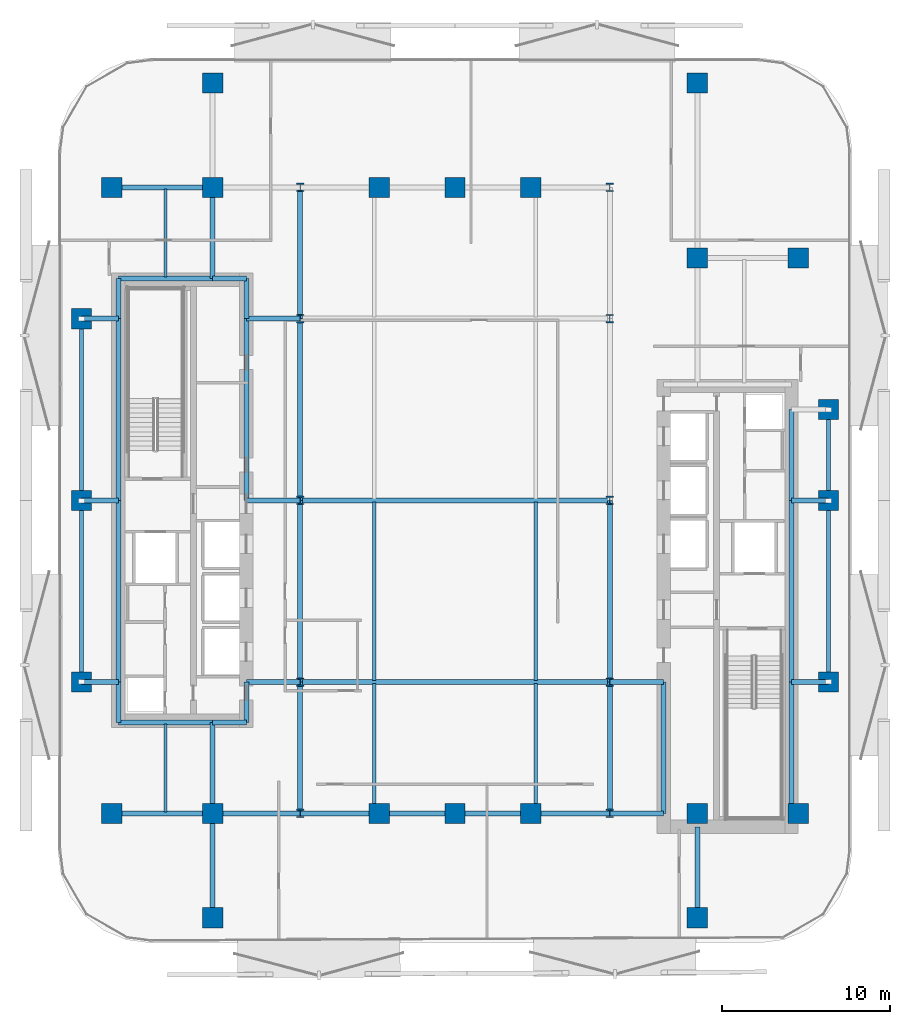
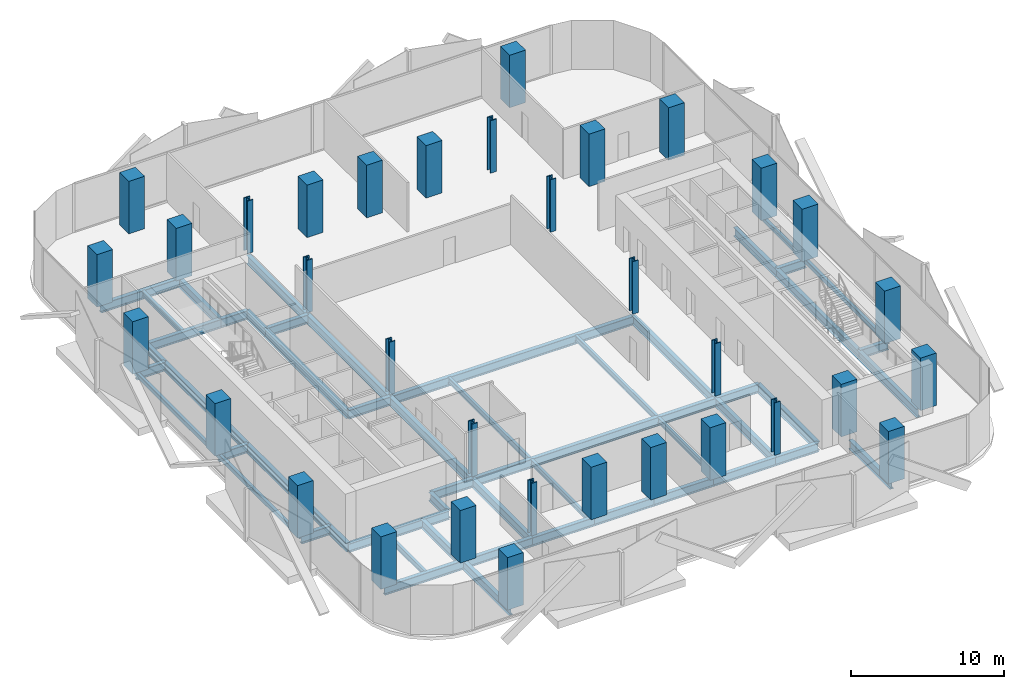
# One storey, part 1 of 15: 54 beams, 34 columns.
"""IFC4 building model written with IfcOpenShell, lengths in metres."""

from ifc_helpers import new_model, si_unit, direction, frame, origin, origin_2d, place, context, subcontext, project, spatial, rectangle, hollow_rectangle, i_section, extrude, material, material_profile, profile_set, type_object, element, save


model = new_model("IFC4")

# Units and contexts
model_context = context("Model", 3, precision=1e-05, world=origin(), true_north=direction((0.0, 1.0)))
body_context = subcontext(model_context, "Body", "Model", "MODEL_VIEW")
ifc_project = project(units=[si_unit("LENGTHUNIT", "METRE"), si_unit("AREAUNIT", "SQUARE_METRE"), si_unit("VOLUMEUNIT", "CUBIC_METRE"), si_unit("PLANEANGLEUNIT", "RADIAN"), si_unit("MASSUNIT", "GRAM", prefix="KILO")], contexts=[model_context])

# Site, building, storey
site_placement = place(None, origin())
site = spatial("IfcSite", under=ifc_project, at=site_placement, CompositionType="ELEMENT")
building_placement = place(site_placement, origin())
building = spatial("IfcBuilding", under=site, at=building_placement, Name="Khairoan Windgate Tower", CompositionType="ELEMENT")
storey_placement = place(building_placement, frame((0.0, 0.0, 143.60009765625)))
storey = spatial("IfcBuildingStorey", under=building, at=storey_placement, Name="L33", CompositionType="ELEMENT", Elevation=143.60009765625)

# Columns
ifc_material_1 = material(Name="Concrete C60/75", Category="concrete")
ifc_material_profile_1 = material_profile(ifc_material_1, rectangle(XDim=1.199951171875, YDim=1.199951171875, at=origin_2d()))
ifc_profile_set_1 = profile_set([ifc_material_profile_1], Name="Concrete C60/75")
column_type_1 = type_object("IfcColumnType", Name="Column C-T3 RC1200x1200", PredefinedType="COLUMN", material=ifc_profile_set_1)
for number, where, z_axis, x_axis, name in (
    (1, (-20.39990234375, -18.60009765625, 0.0), (0.0, 0.0, 1.0), (1.0, 0.0, 0.0), "Column L33-11"),
    (2, (-20.39990234375, 18.60009765625, 0.0), (0.0, 0.0, 1.0), (1.0, 0.0, 0.0), "Column L33-12"),
    (3, (20.39990234375, -18.60009765625, 0.0), (0.0, 0.0, 1.0), (1.0, 0.0, 0.0), "Column L33-13"),
    (4, (20.39990234375, 14.39990234375, 0.0), (0.0, 0.0, 1.0), (1.0, 0.0, 0.0), "Column L33-14"),
    (5, (-14.39990234375, -18.60009765625, 0.0), (0.0, 0.0, 1.0), (1.0, 0.0, 0.0), "Column L33-15"),
    (6, (-14.39990234375, 18.60009765625, 0.0), (0.0, 0.0, 1.0), (1.0, 0.0, 0.0), "Column L33-16"),
    (7, (14.39990234375, -18.60009765625, 0.0), (0.0, 0.0, 1.0), (1.0, 0.0, 0.0), "Column L33-17"),
    (8, (14.39990234375, 14.39990234375, 0.0), (0.0, 0.0, 1.0), (1.0, 0.0, 0.0), "Column L33-18"),
    (9, (-4.5, -18.60009765625, 0.0), (0.0, 0.0, 1.0), (1.0, 0.0, 0.0), "Column L33-19"),
    (10, (0.0, -18.60009765625, 0.0), (0.0, 0.0, 1.0), (1.0, 0.0, 0.0), "Column L33-20"),
    (11, (4.5, -18.60009765625, 0.0), (0.0, 0.0, 1.0), (1.0, 0.0, 0.0), "Column L33-21"),
    (12, (-4.5, 18.60009765625, 0.0), (0.0, 0.0, 1.0), (1.0, 0.0, 0.0), "Column L33-22"),
    (13, (0.0, 18.60009765625, 0.0), (0.0, 0.0, 1.0), (1.0, 0.0, 0.0), "Column L33-23"),
    (14, (4.5, 18.60009765625, 0.0), (0.0, 0.0, 1.0), (1.0, 0.0, 0.0), "Column L33-24"),
    (15, (-22.199951171875, -10.800048828125, 0.0), (0.0, 0.0, 1.0), (1.0, 0.0, 0.0), "Column L33-25"),
    (16, (-22.199951171875, 0.0, 0.0), (0.0, 0.0, 1.0), (1.0, 0.0, 0.0), "Column L33-26"),
    (17, (-22.199951171875, 10.800048828125, 0.0), (0.0, 0.0, 1.0), (1.0, 0.0, 0.0), "Column L33-27"),
    (18, (22.199951171875, -10.800048828125, 0.0), (0.0, 0.0, 1.0), (1.0, 0.0, 0.0), "Column L33-28"),
    (19, (22.199951171875, 0.0, 0.0), (0.0, 0.0, 1.0), (1.0, 0.0, 0.0), "Column L33-29"),
    (20, (22.199951171875, 5.39990234375, 0.0), (0.0, 0.0, 1.0), (1.0, 0.0, 0.0), "Column L33-30"),
    (21, (-14.39990234375, -24.800048828125, 0.0), (0.0, 0.0, 1.0), (1.0, 0.0, 0.0), "Column L33-31"),
    (22, (-14.39990234375, 24.800048828125, 0.0), (0.0, 0.0, 1.0), (1.0, 0.0, 0.0), "Column L33-32"),
    (23, (14.39990234375, -24.800048828125, 0.0), (0.0, 0.0, 1.0), (1.0, 0.0, 0.0), "Column L33-33"),
    (24, (14.39990234375, 24.800048828125, 0.0), (0.0, 0.0, 1.0), (1.0, 0.0, 0.0), "Column L33-34"),
):
    element("IfcColumn", number, at=place(storey_placement, frame(where, z_axis=z_axis, x_axis=x_axis)), inside=storey, type_object=column_type_1, Name=name, PredefinedType="COLUMN", context=body_context, shape_type="SweptSolid", body=[
        extrude(rectangle(XDim=1.199951171875, YDim=1.199951171875, at=origin_2d()), origin(), (0.0, 0.0, 1.0), 4.199951171875),
    ])
ifc_material_2 = material(Name="Steel S355", Category="steel")
ifc_material_profile_2 = material_profile(ifc_material_2, i_section(OverallWidth=0.431884765625, OverallDepth=0.498046875, WebThickness=0.044921875, FlangeThickness=0.070068359375, FilletRadius=0.02197265625, at=origin_2d()))
ifc_profile_set_2 = profile_set([ifc_material_profile_2], Name="Steel S355")
column_type_2 = type_object("IfcColumnType", Name="Steel Column SC1 H498x432x45x70", PredefinedType="COLUMN", material=ifc_profile_set_2)
for number, where, z_axis, x_axis, name in (
    (25, (-9.199951171875, -18.60009765625, 0.0), (0.0, 0.0, 1.0), (1.0, 0.0, 0.0), "Column L33-01"),
    (26, (-9.199951171875, -10.800048828125, 0.0), (0.0, 0.0, 1.0), (1.0, 0.0, 0.0), "Column L33-02"),
    (27, (-9.199951171875, 0.0, 0.0), (0.0, 0.0, 1.0), (1.0, 0.0, 0.0), "Column L33-03"),
    (28, (-9.199951171875, 10.800048828125, 0.0), (0.0, 0.0, 1.0), (1.0, 0.0, 0.0), "Column L33-04"),
    (29, (-9.199951171875, 18.60009765625, 0.0), (0.0, 0.0, 1.0), (1.0, 0.0, 0.0), "Column L33-05"),
    (30, (9.199951171875, -18.60009765625, 0.0), (0.0, 0.0, 1.0), (1.0, 0.0, 0.0), "Column L33-06"),
    (31, (9.199951171875, -10.800048828125, 0.0), (0.0, 0.0, 1.0), (1.0, 0.0, 0.0), "Column L33-07"),
    (32, (9.199951171875, 0.0, 0.0), (0.0, 0.0, 1.0), (1.0, 0.0, 0.0), "Column L33-08"),
    (33, (9.199951171875, 10.800048828125, 0.0), (0.0, 0.0, 1.0), (1.0, 0.0, 0.0), "Column L33-09"),
    (34, (9.199951171875, 18.60009765625, 0.0), (0.0, 0.0, 1.0), (1.0, 0.0, 0.0), "Column L33-10"),
):
    element("IfcColumn", number, at=place(storey_placement, frame(where, z_axis=z_axis, x_axis=x_axis)), inside=storey, type_object=column_type_2, Name=name, PredefinedType="COLUMN", context=body_context, shape_type="SweptSolid", body=[
        extrude(i_section(OverallWidth=0.431884765625, OverallDepth=0.498046875, WebThickness=0.044921875, FlangeThickness=0.070068359375, FilletRadius=0.02197265625, at=origin_2d()), origin(), (0.0, 0.0, 1.0), 4.199951171875),
    ])

# Beams
ifc_material_3 = material(Name="Steel S355", Category="steel")
ifc_material_profile_3 = material_profile(ifc_material_3, i_section(OverallWidth=0.300048828125, OverallDepth=0.699951171875, WebThickness=0.012939453125, FlangeThickness=0.02392578125, FilletRadius=0.02587890625, at=origin_2d()))
ifc_profile_set_3 = profile_set([ifc_material_profile_3], Name="Steel S355")
beam_type_1 = type_object("IfcBeamType", Name="Beam B-G3 H700x300x13x24", PredefinedType="BEAM", material=ifc_profile_set_3)
beam_1_placement = place(storey_placement, frame((-20.39990234375, -18.60009765625, -0.610107421875), z_axis=(1.0, 0.0, 0.0), x_axis=(0.0, 1.0, 0.0)))
element("IfcBeam", 35, at=beam_1_placement, inside=storey, type_object=beam_type_1, Name="L33 E-W Primary Girder 01", PredefinedType="BEAM", context=body_context, shape_type="SweptSolid", body=[
    extrude(i_section(OverallWidth=0.300048828125, OverallDepth=0.699951171875, WebThickness=0.012939453125, FlangeThickness=0.02392578125, FilletRadius=0.02587890625, at=origin_2d()), origin(), (0.0, 0.0, 1.0), 6.0),
])
beam_2_placement = place(storey_placement, frame((-14.39990234375, -18.60009765625, -0.610107421875), z_axis=(1.0, 0.0, 0.0), x_axis=(0.0, 1.0, 0.0)))
element("IfcBeam", 36, at=beam_2_placement, inside=storey, type_object=beam_type_1, Name="L33 E-W Primary Girder 02", PredefinedType="BEAM", context=body_context, shape_type="SweptSolid", body=[
    extrude(i_section(OverallWidth=0.300048828125, OverallDepth=0.699951171875, WebThickness=0.012939453125, FlangeThickness=0.02392578125, FilletRadius=0.02587890625, at=origin_2d()), origin(), (0.0, 0.0, 1.0), 5.199951171875),
])
beam_3_placement = place(storey_placement, frame((-9.199951171875, -18.60009765625, -0.610107421875), z_axis=(1.0, 0.0, 0.0), x_axis=(0.0, 1.0, 0.0)))
element("IfcBeam", 37, at=beam_3_placement, inside=storey, type_object=beam_type_1, Name="L33 E-W Primary Girder 03", PredefinedType="BEAM", context=body_context, shape_type="SweptSolid", body=[
    extrude(i_section(OverallWidth=0.300048828125, OverallDepth=0.699951171875, WebThickness=0.012939453125, FlangeThickness=0.02392578125, FilletRadius=0.02587890625, at=origin_2d()), origin(), (0.0, 0.0, 1.0), 4.699951171875),
])
for number, where, z_axis, x_axis, name in (
    (38, (-4.5, -18.60009765625, -0.610107421875), (1.0, 0.0, 0.0), (0.0, 1.0, 0.0), "L33 E-W Primary Girder 04"),
    (39, (0.0, -18.60009765625, -0.610107421875), (1.0, 0.0, 0.0), (0.0, 1.0, 0.0), "L33 E-W Primary Girder 05"),
):
    element("IfcBeam", number, at=place(storey_placement, frame(where, z_axis=z_axis, x_axis=x_axis)), inside=storey, type_object=beam_type_1, Name=name, PredefinedType="BEAM", context=body_context, shape_type="SweptSolid", body=[
        extrude(i_section(OverallWidth=0.300048828125, OverallDepth=0.699951171875, WebThickness=0.012939453125, FlangeThickness=0.02392578125, FilletRadius=0.02587890625, at=origin_2d()), origin(), (0.0, 0.0, 1.0), 4.5),
    ])
beam_4_placement = place(storey_placement, frame((4.5, -18.60009765625, -0.610107421875), z_axis=(1.0, 0.0, 0.0), x_axis=(0.0, 1.0, 0.0)))
element("IfcBeam", 40, at=beam_4_placement, inside=storey, type_object=beam_type_1, Name="L33 E-W Primary Girder 06", PredefinedType="BEAM", context=body_context, shape_type="SweptSolid", body=[
    extrude(i_section(OverallWidth=0.300048828125, OverallDepth=0.699951171875, WebThickness=0.012939453125, FlangeThickness=0.02392578125, FilletRadius=0.02587890625, at=origin_2d()), origin(), (0.0, 0.0, 1.0), 4.699951171875),
])
beam_5_placement = place(storey_placement, frame((9.199951171875, -18.60009765625, -0.610107421875), z_axis=(1.0, 0.0, 0.0), x_axis=(0.0, 1.0, 0.0)))
element("IfcBeam", 41, at=beam_5_placement, inside=storey, type_object=beam_type_1, Name="L33 E-W Primary Girder 07", PredefinedType="BEAM", context=body_context, shape_type="SweptSolid", body=[
    extrude(i_section(OverallWidth=0.300048828125, OverallDepth=0.699951171875, WebThickness=0.012939453125, FlangeThickness=0.02392578125, FilletRadius=0.02587890625, at=origin_2d()), origin(), (0.0, 0.0, 1.0), 3.199951171875),
])
beam_6_placement = place(storey_placement, frame((-20.0, -13.199951171875, -0.610107421875), z_axis=(1.0, 0.0, 0.0), x_axis=(0.0, 1.0, 0.0)))
element("IfcBeam", 42, at=beam_6_placement, inside=storey, type_object=beam_type_1, Name="L33 E-W Primary Girder 08", PredefinedType="BEAM", context=body_context, shape_type="SweptSolid", body=[
    extrude(i_section(OverallWidth=0.300048828125, OverallDepth=0.699951171875, WebThickness=0.012939453125, FlangeThickness=0.02392578125, FilletRadius=0.02587890625, at=origin_2d()), origin(), (0.0, 0.0, 1.0), 5.60009765625),
])
beam_7_placement = place(storey_placement, frame((-14.39990234375, -13.199951171875, -0.610107421875), z_axis=(1.0, 0.0, 0.0), x_axis=(0.0, 1.0, 0.0)))
element("IfcBeam", 43, at=beam_7_placement, inside=storey, type_object=beam_type_1, Name="L33 E-W Primary Girder 09", PredefinedType="BEAM", context=body_context, shape_type="SweptSolid", body=[
    extrude(i_section(OverallWidth=0.300048828125, OverallDepth=0.699951171875, WebThickness=0.012939453125, FlangeThickness=0.02392578125, FilletRadius=0.02587890625, at=origin_2d()), origin(), (0.0, 0.0, 1.0), 2.0),
])
beam_8_placement = place(storey_placement, frame((-22.199951171875, -10.800048828125, -0.610107421875), z_axis=(1.0, 0.0, 0.0), x_axis=(0.0, 1.0, 0.0)))
element("IfcBeam", 44, at=beam_8_placement, inside=storey, type_object=beam_type_1, Name="L33 E-W Primary Girder 10", PredefinedType="BEAM", context=body_context, shape_type="SweptSolid", body=[
    extrude(i_section(OverallWidth=0.300048828125, OverallDepth=0.699951171875, WebThickness=0.012939453125, FlangeThickness=0.02392578125, FilletRadius=0.02587890625, at=origin_2d()), origin(), (0.0, 0.0, 1.0), 2.199951171875),
])
beam_9_placement = place(storey_placement, frame((-12.39990234375, -10.800048828125, -0.610107421875), z_axis=(1.0, 0.0, 0.0), x_axis=(0.0, 1.0, 0.0)))
element("IfcBeam", 45, at=beam_9_placement, inside=storey, type_object=beam_type_1, Name="L33 E-W Primary Girder 11", PredefinedType="BEAM", context=body_context, shape_type="SweptSolid", body=[
    extrude(i_section(OverallWidth=0.300048828125, OverallDepth=0.699951171875, WebThickness=0.012939453125, FlangeThickness=0.02392578125, FilletRadius=0.02587890625, at=origin_2d()), origin(), (0.0, 0.0, 1.0), 3.199951171875),
])
beam_10_placement = place(storey_placement, frame((-9.199951171875, -10.800048828125, -0.610107421875), z_axis=(1.0, 0.0, 0.0), x_axis=(0.0, 1.0, 0.0)))
element("IfcBeam", 46, at=beam_10_placement, inside=storey, type_object=beam_type_1, Name="L33 E-W Primary Girder 12", PredefinedType="BEAM", context=body_context, shape_type="SweptSolid", body=[
    extrude(i_section(OverallWidth=0.300048828125, OverallDepth=0.699951171875, WebThickness=0.012939453125, FlangeThickness=0.02392578125, FilletRadius=0.02587890625, at=origin_2d()), origin(), (0.0, 0.0, 1.0), 18.39990234375),
])
beam_11_placement = place(storey_placement, frame((9.199951171875, -10.800048828125, -0.610107421875), z_axis=(1.0, 0.0, 0.0), x_axis=(0.0, 1.0, 0.0)))
element("IfcBeam", 47, at=beam_11_placement, inside=storey, type_object=beam_type_1, Name="L33 E-W Primary Girder 13", PredefinedType="BEAM", context=body_context, shape_type="SweptSolid", body=[
    extrude(i_section(OverallWidth=0.300048828125, OverallDepth=0.699951171875, WebThickness=0.012939453125, FlangeThickness=0.02392578125, FilletRadius=0.02587890625, at=origin_2d()), origin(), (0.0, 0.0, 1.0), 3.199951171875),
])
for number, where, z_axis, x_axis, name in (
    (48, (20.0, -10.800048828125, -0.610107421875), (1.0, 0.0, 0.0), (0.0, 1.0, 0.0), "L33 E-W Primary Girder 14"),
    (49, (-22.199951171875, 0.0, -0.610107421875), (1.0, 0.0, 0.0), (0.0, 1.0, 0.0), "L33 E-W Primary Girder 15"),
):
    element("IfcBeam", number, at=place(storey_placement, frame(where, z_axis=z_axis, x_axis=x_axis)), inside=storey, type_object=beam_type_1, Name=name, PredefinedType="BEAM", context=body_context, shape_type="SweptSolid", body=[
        extrude(i_section(OverallWidth=0.300048828125, OverallDepth=0.699951171875, WebThickness=0.012939453125, FlangeThickness=0.02392578125, FilletRadius=0.02587890625, at=origin_2d()), origin(), (0.0, 0.0, 1.0), 2.199951171875),
    ])
beam_12_placement = place(storey_placement, frame((-12.39990234375, 0.0, -0.610107421875), z_axis=(1.0, 0.0, 0.0), x_axis=(0.0, 1.0, 0.0)))
element("IfcBeam", 50, at=beam_12_placement, inside=storey, type_object=beam_type_1, Name="L33 E-W Primary Girder 16", PredefinedType="BEAM", context=body_context, shape_type="SweptSolid", body=[
    extrude(i_section(OverallWidth=0.300048828125, OverallDepth=0.699951171875, WebThickness=0.012939453125, FlangeThickness=0.02392578125, FilletRadius=0.02587890625, at=origin_2d()), origin(), (0.0, 0.0, 1.0), 3.199951171875),
])
beam_13_placement = place(storey_placement, frame((-9.199951171875, 0.0, -0.610107421875), z_axis=(1.0, 0.0, 0.0), x_axis=(0.0, 1.0, 0.0)))
element("IfcBeam", 51, at=beam_13_placement, inside=storey, type_object=beam_type_1, Name="L33 E-W Primary Girder 17", PredefinedType="BEAM", context=body_context, shape_type="SweptSolid", body=[
    extrude(i_section(OverallWidth=0.300048828125, OverallDepth=0.699951171875, WebThickness=0.012939453125, FlangeThickness=0.02392578125, FilletRadius=0.02587890625, at=origin_2d()), origin(), (0.0, 0.0, 1.0), 18.39990234375),
])
for number, where, z_axis, x_axis, name in (
    (52, (20.0, 0.0, -0.610107421875), (1.0, 0.0, 0.0), (0.0, 1.0, 0.0), "L33 E-W Primary Girder 18"),
    (53, (-22.199951171875, 10.800048828125, -0.610107421875), (1.0, 0.0, 0.0), (0.0, 1.0, 0.0), "L33 E-W Primary Girder 22"),
):
    element("IfcBeam", number, at=place(storey_placement, frame(where, z_axis=z_axis, x_axis=x_axis)), inside=storey, type_object=beam_type_1, Name=name, PredefinedType="BEAM", context=body_context, shape_type="SweptSolid", body=[
        extrude(i_section(OverallWidth=0.300048828125, OverallDepth=0.699951171875, WebThickness=0.012939453125, FlangeThickness=0.02392578125, FilletRadius=0.02587890625, at=origin_2d()), origin(), (0.0, 0.0, 1.0), 2.199951171875),
    ])
beam_14_placement = place(storey_placement, frame((-12.39990234375, 10.800048828125, -0.610107421875), z_axis=(1.0, 0.0, 0.0), x_axis=(0.0, 1.0, 0.0)))
element("IfcBeam", 54, at=beam_14_placement, inside=storey, type_object=beam_type_1, Name="L33 E-W Primary Girder 23", PredefinedType="BEAM", context=body_context, shape_type="SweptSolid", body=[
    extrude(i_section(OverallWidth=0.300048828125, OverallDepth=0.699951171875, WebThickness=0.012939453125, FlangeThickness=0.02392578125, FilletRadius=0.02587890625, at=origin_2d()), origin(), (0.0, 0.0, 1.0), 3.199951171875),
])
beam_15_placement = place(storey_placement, frame((-20.0, 13.199951171875, -0.610107421875), z_axis=(1.0, 0.0, 0.0), x_axis=(0.0, 1.0, 0.0)))
element("IfcBeam", 55, at=beam_15_placement, inside=storey, type_object=beam_type_1, Name="L33 E-W Primary Girder 25", PredefinedType="BEAM", context=body_context, shape_type="SweptSolid", body=[
    extrude(i_section(OverallWidth=0.300048828125, OverallDepth=0.699951171875, WebThickness=0.012939453125, FlangeThickness=0.02392578125, FilletRadius=0.02587890625, at=origin_2d()), origin(), (0.0, 0.0, 1.0), 5.60009765625),
])
beam_16_placement = place(storey_placement, frame((-14.39990234375, 13.199951171875, -0.610107421875), z_axis=(1.0, 0.0, 0.0), x_axis=(0.0, 1.0, 0.0)))
element("IfcBeam", 56, at=beam_16_placement, inside=storey, type_object=beam_type_1, Name="L33 E-W Primary Girder 26", PredefinedType="BEAM", context=body_context, shape_type="SweptSolid", body=[
    extrude(i_section(OverallWidth=0.300048828125, OverallDepth=0.699951171875, WebThickness=0.012939453125, FlangeThickness=0.02392578125, FilletRadius=0.02587890625, at=origin_2d()), origin(), (0.0, 0.0, 1.0), 2.0),
])
beam_17_placement = place(storey_placement, frame((-20.39990234375, 18.60009765625, -0.610107421875), z_axis=(1.0, 0.0, 0.0), x_axis=(0.0, 1.0, 0.0)))
element("IfcBeam", 57, at=beam_17_placement, inside=storey, type_object=beam_type_1, Name="L33 E-W Primary Girder 28", PredefinedType="BEAM", context=body_context, shape_type="SweptSolid", body=[
    extrude(i_section(OverallWidth=0.300048828125, OverallDepth=0.699951171875, WebThickness=0.012939453125, FlangeThickness=0.02392578125, FilletRadius=0.02587890625, at=origin_2d()), origin(), (0.0, 0.0, 1.0), 6.0),
])
beam_18_placement = place(storey_placement, frame((-20.0, -13.199951171875, -0.610107421875), z_axis=(0.0, 1.0, 0.0), x_axis=(-1.0, 0.0, 0.0)))
element("IfcBeam", 58, at=beam_18_placement, inside=storey, type_object=beam_type_1, Name="L33 N-S Primary Beam 36", PredefinedType="BEAM", context=body_context, shape_type="SweptSolid", body=[
    extrude(i_section(OverallWidth=0.300048828125, OverallDepth=0.699951171875, WebThickness=0.012939453125, FlangeThickness=0.02392578125, FilletRadius=0.02587890625, at=origin_2d()), origin(), (0.0, 0.0, 1.0), 2.39990234375),
])
for number, where, z_axis, x_axis, name in (
    (59, (-20.0, -10.800048828125, -0.610107421875), (0.0, 1.0, 0.0), (-1.0, 0.0, 0.0), "L33 N-S Primary Beam 37"),
    (60, (-20.0, 0.0, -0.610107421875), (0.0, 1.0, 0.0), (-1.0, 0.0, 0.0), "L33 N-S Primary Beam 38"),
):
    element("IfcBeam", number, at=place(storey_placement, frame(where, z_axis=z_axis, x_axis=x_axis)), inside=storey, type_object=beam_type_1, Name=name, PredefinedType="BEAM", context=body_context, shape_type="SweptSolid", body=[
        extrude(i_section(OverallWidth=0.300048828125, OverallDepth=0.699951171875, WebThickness=0.012939453125, FlangeThickness=0.02392578125, FilletRadius=0.02587890625, at=origin_2d()), origin(), (0.0, 0.0, 1.0), 10.800048828125),
    ])
beam_19_placement = place(storey_placement, frame((-20.0, 10.800048828125, -0.610107421875), z_axis=(0.0, 1.0, 0.0), x_axis=(-1.0, 0.0, 0.0)))
element("IfcBeam", 61, at=beam_19_placement, inside=storey, type_object=beam_type_1, Name="L33 N-S Primary Beam 39", PredefinedType="BEAM", context=body_context, shape_type="SweptSolid", body=[
    extrude(i_section(OverallWidth=0.300048828125, OverallDepth=0.699951171875, WebThickness=0.012939453125, FlangeThickness=0.02392578125, FilletRadius=0.02587890625, at=origin_2d()), origin(), (0.0, 0.0, 1.0), 2.39990234375),
])
beam_20_placement = place(storey_placement, frame((-14.39990234375, -24.800048828125, -0.610107421875), z_axis=(0.0, 1.0, 0.0), x_axis=(-1.0, 0.0, 0.0)))
element("IfcBeam", 62, at=beam_20_placement, inside=storey, type_object=beam_type_1, Name="L33 N-S Primary Beam 40", PredefinedType="BEAM", context=body_context, shape_type="SweptSolid", body=[
    extrude(i_section(OverallWidth=0.300048828125, OverallDepth=0.699951171875, WebThickness=0.012939453125, FlangeThickness=0.02392578125, FilletRadius=0.02587890625, at=origin_2d()), origin(), (0.0, 0.0, 1.0), 6.199951171875),
])
for number, where, z_axis, x_axis, name in (
    (63, (-14.39990234375, -18.60009765625, -0.610107421875), (0.0, 1.0, 0.0), (-1.0, 0.0, 0.0), "L33 N-S Primary Beam 41"),
    (64, (-14.39990234375, 13.199951171875, -0.610107421875), (0.0, 1.0, 0.0), (-1.0, 0.0, 0.0), "L33 N-S Primary Beam 42"),
):
    element("IfcBeam", number, at=place(storey_placement, frame(where, z_axis=z_axis, x_axis=x_axis)), inside=storey, type_object=beam_type_1, Name=name, PredefinedType="BEAM", context=body_context, shape_type="SweptSolid", body=[
        extrude(i_section(OverallWidth=0.300048828125, OverallDepth=0.699951171875, WebThickness=0.012939453125, FlangeThickness=0.02392578125, FilletRadius=0.02587890625, at=origin_2d()), origin(), (0.0, 0.0, 1.0), 5.400146484375),
    ])
beam_21_placement = place(storey_placement, frame((-12.39990234375, -13.199951171875, -0.610107421875), z_axis=(0.0, 1.0, 0.0), x_axis=(-1.0, 0.0, 0.0)))
element("IfcBeam", 65, at=beam_21_placement, inside=storey, type_object=beam_type_1, Name="L33 N-S Primary Beam 44", PredefinedType="BEAM", context=body_context, shape_type="SweptSolid", body=[
    extrude(i_section(OverallWidth=0.300048828125, OverallDepth=0.699951171875, WebThickness=0.012939453125, FlangeThickness=0.02392578125, FilletRadius=0.02587890625, at=origin_2d()), origin(), (0.0, 0.0, 1.0), 2.39990234375),
])
beam_22_placement = place(storey_placement, frame((-12.39990234375, 0.0, -0.610107421875), z_axis=(0.0, 1.0, 0.0), x_axis=(-1.0, 0.0, 0.0)))
element("IfcBeam", 66, at=beam_22_placement, inside=storey, type_object=beam_type_1, Name="L33 N-S Primary Beam 45", PredefinedType="BEAM", context=body_context, shape_type="SweptSolid", body=[
    extrude(i_section(OverallWidth=0.300048828125, OverallDepth=0.699951171875, WebThickness=0.012939453125, FlangeThickness=0.02392578125, FilletRadius=0.02587890625, at=origin_2d()), origin(), (0.0, 0.0, 1.0), 10.800048828125),
])
beam_23_placement = place(storey_placement, frame((-12.39990234375, 10.800048828125, -0.610107421875), z_axis=(0.0, 1.0, 0.0), x_axis=(-1.0, 0.0, 0.0)))
element("IfcBeam", 67, at=beam_23_placement, inside=storey, type_object=beam_type_1, Name="L33 N-S Primary Beam 46", PredefinedType="BEAM", context=body_context, shape_type="SweptSolid", body=[
    extrude(i_section(OverallWidth=0.300048828125, OverallDepth=0.699951171875, WebThickness=0.012939453125, FlangeThickness=0.02392578125, FilletRadius=0.02587890625, at=origin_2d()), origin(), (0.0, 0.0, 1.0), 2.39990234375),
])
beam_24_placement = place(storey_placement, frame((-9.199951171875, -18.60009765625, -0.610107421875), z_axis=(0.0, 1.0, 0.0), x_axis=(-1.0, 0.0, 0.0)))
element("IfcBeam", 68, at=beam_24_placement, inside=storey, type_object=beam_type_1, Name="L33 N-S Primary Beam 47", PredefinedType="BEAM", context=body_context, shape_type="SweptSolid", body=[
    extrude(i_section(OverallWidth=0.300048828125, OverallDepth=0.699951171875, WebThickness=0.012939453125, FlangeThickness=0.02392578125, FilletRadius=0.02587890625, at=origin_2d()), origin(), (0.0, 0.0, 1.0), 7.800048828125),
])
for number, where, z_axis, x_axis, name in (
    (69, (-9.199951171875, -10.800048828125, -0.610107421875), (0.0, 1.0, 0.0), (-1.0, 0.0, 0.0), "L33 N-S Primary Beam 48"),
    (70, (-9.199951171875, 0.0, -0.610107421875), (0.0, 1.0, 0.0), (-1.0, 0.0, 0.0), "L33 N-S Primary Beam 49"),
):
    element("IfcBeam", number, at=place(storey_placement, frame(where, z_axis=z_axis, x_axis=x_axis)), inside=storey, type_object=beam_type_1, Name=name, PredefinedType="BEAM", context=body_context, shape_type="SweptSolid", body=[
        extrude(i_section(OverallWidth=0.300048828125, OverallDepth=0.699951171875, WebThickness=0.012939453125, FlangeThickness=0.02392578125, FilletRadius=0.02587890625, at=origin_2d()), origin(), (0.0, 0.0, 1.0), 10.800048828125),
    ])
for number, where, z_axis, x_axis, name in (
    (71, (-9.199951171875, 10.800048828125, -0.610107421875), (0.0, 1.0, 0.0), (-1.0, 0.0, 0.0), "L33 N-S Primary Beam 50"),
    (72, (9.199951171875, -18.60009765625, -0.610107421875), (0.0, 1.0, 0.0), (-1.0, 0.0, 0.0), "L33 N-S Primary Beam 51"),
):
    element("IfcBeam", number, at=place(storey_placement, frame(where, z_axis=z_axis, x_axis=x_axis)), inside=storey, type_object=beam_type_1, Name=name, PredefinedType="BEAM", context=body_context, shape_type="SweptSolid", body=[
        extrude(i_section(OverallWidth=0.300048828125, OverallDepth=0.699951171875, WebThickness=0.012939453125, FlangeThickness=0.02392578125, FilletRadius=0.02587890625, at=origin_2d()), origin(), (0.0, 0.0, 1.0), 7.800048828125),
    ])
beam_25_placement = place(storey_placement, frame((9.199951171875, -10.800048828125, -0.610107421875), z_axis=(0.0, 1.0, 0.0), x_axis=(-1.0, 0.0, 0.0)))
element("IfcBeam", 73, at=beam_25_placement, inside=storey, type_object=beam_type_1, Name="L33 N-S Primary Beam 52", PredefinedType="BEAM", context=body_context, shape_type="SweptSolid", body=[
    extrude(i_section(OverallWidth=0.300048828125, OverallDepth=0.699951171875, WebThickness=0.012939453125, FlangeThickness=0.02392578125, FilletRadius=0.02587890625, at=origin_2d()), origin(), (0.0, 0.0, 1.0), 10.800048828125),
])
beam_26_placement = place(storey_placement, frame((12.39990234375, -18.60009765625, -0.610107421875), z_axis=(0.0, 1.0, 0.0), x_axis=(-1.0, 0.0, 0.0)))
element("IfcBeam", 74, at=beam_26_placement, inside=storey, type_object=beam_type_1, Name="L33 N-S Primary Beam 55", PredefinedType="BEAM", context=body_context, shape_type="SweptSolid", body=[
    extrude(i_section(OverallWidth=0.300048828125, OverallDepth=0.699951171875, WebThickness=0.012939453125, FlangeThickness=0.02392578125, FilletRadius=0.02587890625, at=origin_2d()), origin(), (0.0, 0.0, 1.0), 7.800048828125),
])
beam_27_placement = place(storey_placement, frame((14.39990234375, -24.800048828125, -0.610107421875), z_axis=(0.0, 1.0, 0.0), x_axis=(-1.0, 0.0, 0.0)))
element("IfcBeam", 75, at=beam_27_placement, inside=storey, type_object=beam_type_1, Name="L33 N-S Primary Beam 56", PredefinedType="BEAM", context=body_context, shape_type="SweptSolid", body=[
    extrude(i_section(OverallWidth=0.300048828125, OverallDepth=0.699951171875, WebThickness=0.012939453125, FlangeThickness=0.02392578125, FilletRadius=0.02587890625, at=origin_2d()), origin(), (0.0, 0.0, 1.0), 5.400146484375),
])
beam_28_placement = place(storey_placement, frame((20.0, -18.60009765625, -0.610107421875), z_axis=(0.0, 1.0, 0.0), x_axis=(-1.0, 0.0, 0.0)))
element("IfcBeam", 76, at=beam_28_placement, inside=storey, type_object=beam_type_1, Name="L33 N-S Primary Beam 59", PredefinedType="BEAM", context=body_context, shape_type="SweptSolid", body=[
    extrude(i_section(OverallWidth=0.300048828125, OverallDepth=0.699951171875, WebThickness=0.012939453125, FlangeThickness=0.02392578125, FilletRadius=0.02587890625, at=origin_2d()), origin(), (0.0, 0.0, 1.0), 7.800048828125),
])
beam_29_placement = place(storey_placement, frame((20.0, -10.800048828125, -0.610107421875), z_axis=(0.0, 1.0, 0.0), x_axis=(-1.0, 0.0, 0.0)))
element("IfcBeam", 77, at=beam_29_placement, inside=storey, type_object=beam_type_1, Name="L33 N-S Primary Beam 60", PredefinedType="BEAM", context=body_context, shape_type="SweptSolid", body=[
    extrude(i_section(OverallWidth=0.300048828125, OverallDepth=0.699951171875, WebThickness=0.012939453125, FlangeThickness=0.02392578125, FilletRadius=0.02587890625, at=origin_2d()), origin(), (0.0, 0.0, 1.0), 10.800048828125),
])
beam_30_placement = place(storey_placement, frame((20.0, 0.0, -0.610107421875), z_axis=(0.0, 1.0, 0.0), x_axis=(-1.0, 0.0, 0.0)))
element("IfcBeam", 78, at=beam_30_placement, inside=storey, type_object=beam_type_1, Name="L33 N-S Primary Beam 61", PredefinedType="BEAM", context=body_context, shape_type="SweptSolid", body=[
    extrude(i_section(OverallWidth=0.300048828125, OverallDepth=0.699951171875, WebThickness=0.012939453125, FlangeThickness=0.02392578125, FilletRadius=0.02587890625, at=origin_2d()), origin(), (0.0, 0.0, 1.0), 5.39990234375),
])
ifc_material_4 = material(Name="Steel S355", Category="steel")
ifc_material_profile_4 = material_profile(ifc_material_4, i_section(OverallWidth=0.199951171875, OverallDepth=0.449951171875, WebThickness=0.009033203125, FlangeThickness=0.013916015625, FilletRadius=0.01806640625, at=origin_2d()))
ifc_profile_set_4 = profile_set([ifc_material_profile_4], Name="Steel S355")
beam_type_2 = type_object("IfcBeamType", Name="Beam J-S3 H450x200x9x14", PredefinedType="JOIST", material=ifc_profile_set_4)
for number, where, z_axis, x_axis, name in (
    (79, (-17.199951171875, -18.510009765625, -0.485107421875), (0.0, 1.0, 0.0), (-1.0, 0.0, 0.0), "L33 Secondary Floor Joist 01"),
    (80, (-17.199951171875, 13.2900390625, -0.485107421875), (0.0, 1.0, 0.0), (-1.0, 0.0, 0.0), "L33 Secondary Floor Joist 02"),
):
    element("IfcBeam", number, at=place(storey_placement, frame(where, z_axis=z_axis, x_axis=x_axis)), inside=storey, type_object=beam_type_2, Name=name, PredefinedType="JOIST", context=body_context, shape_type="SweptSolid", body=[
        extrude(i_section(OverallWidth=0.199951171875, OverallDepth=0.449951171875, WebThickness=0.009033203125, FlangeThickness=0.013916015625, FilletRadius=0.01806640625, at=origin_2d()), origin(), (0.0, 0.0, 1.0), 5.219970703125),
    ])
beam_31_placement = place(storey_placement, frame((-4.800048828125, -18.510009765625, -0.485107421875), z_axis=(0.0, 1.0, 0.0), x_axis=(-1.0, 0.0, 0.0)))
element("IfcBeam", 81, at=beam_31_placement, inside=storey, type_object=beam_type_2, Name="L33 Secondary Floor Joist 03", PredefinedType="JOIST", context=body_context, shape_type="SweptSolid", body=[
    extrude(i_section(OverallWidth=0.199951171875, OverallDepth=0.449951171875, WebThickness=0.009033203125, FlangeThickness=0.013916015625, FilletRadius=0.01806640625, at=origin_2d()), origin(), (0.0, 0.0, 1.0), 7.6201171875),
])
beam_32_placement = place(storey_placement, frame((-4.800048828125, -10.7099609375, -0.485107421875), z_axis=(0.0, 1.0, 0.0), x_axis=(-1.0, 0.0, 0.0)))
element("IfcBeam", 82, at=beam_32_placement, inside=storey, type_object=beam_type_2, Name="L33 Secondary Floor Joist 04", PredefinedType="JOIST", context=body_context, shape_type="SweptSolid", body=[
    extrude(i_section(OverallWidth=0.199951171875, OverallDepth=0.449951171875, WebThickness=0.009033203125, FlangeThickness=0.013916015625, FilletRadius=0.01806640625, at=origin_2d()), origin(), (0.0, 0.0, 1.0), 10.619873046875),
])
beam_33_placement = place(storey_placement, frame((4.800048828125, -18.510009765625, -0.485107421875), z_axis=(0.0, 1.0, 0.0), x_axis=(-1.0, 0.0, 0.0)))
element("IfcBeam", 83, at=beam_33_placement, inside=storey, type_object=beam_type_2, Name="L33 Secondary Floor Joist 07", PredefinedType="JOIST", context=body_context, shape_type="SweptSolid", body=[
    extrude(i_section(OverallWidth=0.199951171875, OverallDepth=0.449951171875, WebThickness=0.009033203125, FlangeThickness=0.013916015625, FilletRadius=0.01806640625, at=origin_2d()), origin(), (0.0, 0.0, 1.0), 7.6201171875),
])
beam_34_placement = place(storey_placement, frame((4.800048828125, -10.7099609375, -0.485107421875), z_axis=(0.0, 1.0, 0.0), x_axis=(-1.0, 0.0, 0.0)))
element("IfcBeam", 84, at=beam_34_placement, inside=storey, type_object=beam_type_2, Name="L33 Secondary Floor Joist 08", PredefinedType="JOIST", context=body_context, shape_type="SweptSolid", body=[
    extrude(i_section(OverallWidth=0.199951171875, OverallDepth=0.449951171875, WebThickness=0.009033203125, FlangeThickness=0.013916015625, FilletRadius=0.01806640625, at=origin_2d()), origin(), (0.0, 0.0, 1.0), 10.619873046875),
])
ifc_material_5 = material(Name="Steel S355", Category="steel")
ifc_material_profile_5 = material_profile(ifc_material_5, hollow_rectangle(XDim=0.25, YDim=0.35009765625, WallThickness=0.012451171875, InnerFilletRadius=0.012451171875, OuterFilletRadius=0.02490234375, at=origin_2d()))
ifc_profile_set_5 = profile_set([ifc_material_profile_5], Name="Steel S355")
beam_type_3 = type_object("IfcBeamType", Name="Beam SP-B2 RHS350x250x12.5", PredefinedType="SPANDREL", material=ifc_profile_set_5)
for number, where, z_axis, x_axis, name in (
    (85, (-22.199951171875, -10.800048828125, -0.43505859375), (0.0, 1.0, 0.0), (-1.0, 0.0, 0.0), "L33 Spandrel Beam 34"),
    (86, (-22.199951171875, 0.0, -0.43505859375), (0.0, 1.0, 0.0), (-1.0, 0.0, 0.0), "L33 Spandrel Beam 35"),
    (87, (22.199951171875, -10.800048828125, -0.43505859375), (0.0, 1.0, 0.0), (-1.0, 0.0, 0.0), "L33 Spandrel Beam 62"),
):
    element("IfcBeam", number, at=place(storey_placement, frame(where, z_axis=z_axis, x_axis=x_axis)), inside=storey, type_object=beam_type_3, Name=name, PredefinedType="SPANDREL", context=body_context, shape_type="SweptSolid", body=[
        extrude(hollow_rectangle(XDim=0.25, YDim=0.35009765625, WallThickness=0.012451171875, InnerFilletRadius=0.012451171875, OuterFilletRadius=0.02490234375, at=origin_2d()), origin(), (0.0, 0.0, 1.0), 10.800048828125),
    ])
beam_35_placement = place(storey_placement, frame((22.199951171875, 0.0, -0.43505859375), z_axis=(0.0, 1.0, 0.0), x_axis=(-1.0, 0.0, 0.0)))
element("IfcBeam", 88, at=beam_35_placement, inside=storey, type_object=beam_type_3, Name="L33 Spandrel Beam 63", PredefinedType="SPANDREL", context=body_context, shape_type="SweptSolid", body=[
    extrude(hollow_rectangle(XDim=0.25, YDim=0.35009765625, WallThickness=0.012451171875, InnerFilletRadius=0.012451171875, OuterFilletRadius=0.02490234375, at=origin_2d()), origin(), (0.0, 0.0, 1.0), 5.39990234375),
])

save(model, "model.ifc")
